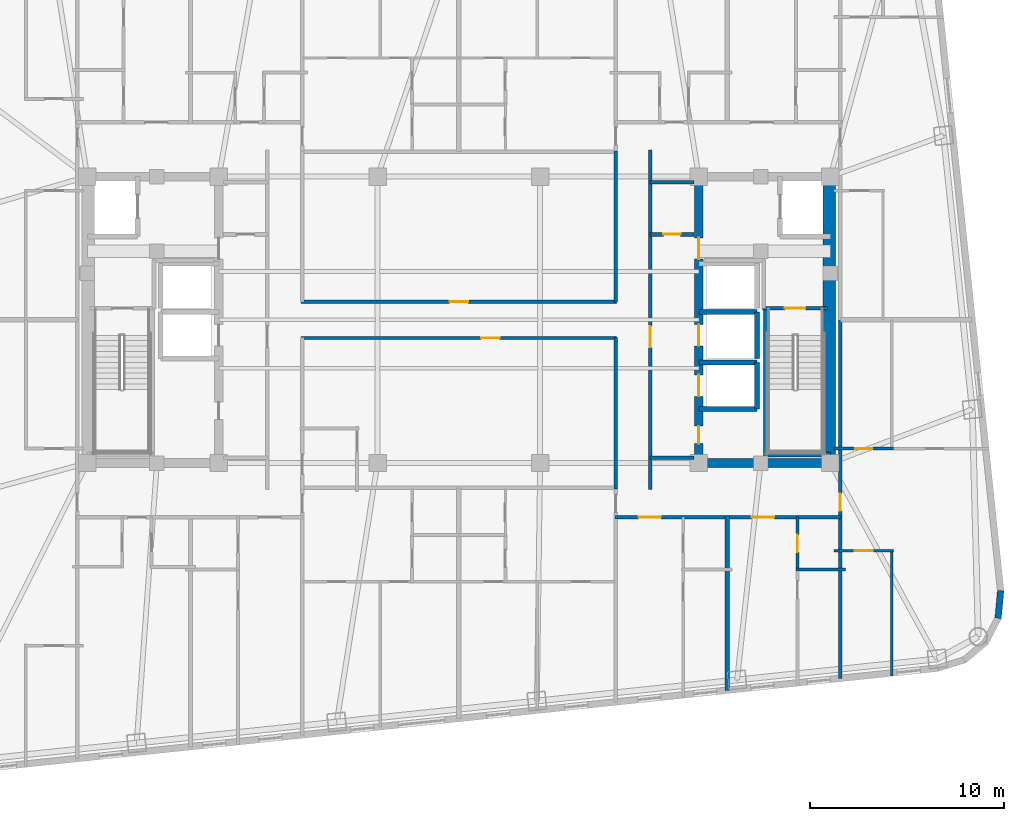
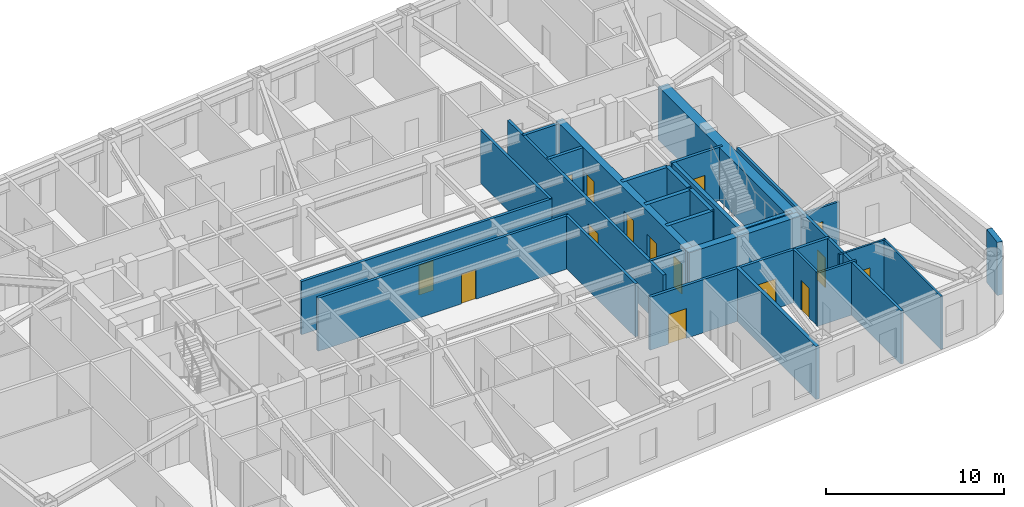
# One storey, part 6 of 12: 28 walls, 15 doors, 15 openings.
"""IFC4 building model written with IfcOpenShell, lengths in metres."""

from ifc_helpers import new_model, si_unit, direction, frame, frame_2d, origin, place, context, subcontext, project, spatial, rectangle, extrude, material, layer, layer_set, type_object, element, fill, save


model = new_model("IFC4")

# Units and contexts
model_context = context("Model", 3, precision=1e-05, world=origin(), true_north=direction((0.0, 1.0)))
body_context = subcontext(model_context, "Body", "Model", "MODEL_VIEW")
ifc_project = project(units=[si_unit("LENGTHUNIT", "METRE"), si_unit("AREAUNIT", "SQUARE_METRE"), si_unit("VOLUMEUNIT", "CUBIC_METRE"), si_unit("PLANEANGLEUNIT", "RADIAN"), si_unit("MASSUNIT", "GRAM", prefix="KILO")], contexts=[model_context])

# Site, building, storey
site_placement = place(None, origin())
site = spatial("IfcSite", under=ifc_project, at=site_placement, CompositionType="ELEMENT")
building_placement = place(site_placement, origin())
building = spatial("IfcBuilding", under=site, at=building_placement, Name="Voryun Gate Residences", CompositionType="ELEMENT")
storey_placement = place(building_placement, frame((0.0, 0.0, 187.199951171875)))
storey = spatial("IfcBuildingStorey", under=building, at=storey_placement, Name="L46", CompositionType="ELEMENT", Elevation=187.199951171875)

# Wall
ifc_material_1 = material(Name="Concrete C50/60", Category="concrete")
ifc_layer_1 = layer(ifc_material_1, 0.449951171875, Name="CW_CORE_450")
ifc_layer_set_1 = layer_set([ifc_layer_1], Name="Concrete C50/60")
wall_type_1 = type_object("IfcWallType", Name="CW_CORE_450", PredefinedType="SHEAR", material=ifc_layer_set_1)
wall_1_placement = place(storey_placement, frame((12.175048828125, -7.39990234375, 0.0), z_axis=(0.0, 0.0, 1.0), x_axis=(1.0, 0.0, 0.0)))
element("IfcWall", 1, at=wall_1_placement, inside=storey, type_object=wall_type_1, Name="L46 Core shear wall CW-L46-ES", PredefinedType="SHEAR", context=body_context, shape_type="SweptSolid", body=[
    extrude(rectangle(XDim=7.25, YDim=0.449951171875, at=frame_2d((3.625, 0.0))), origin(), (0.0, 0.0, 1.0), 3.650146484375),
])

# Wall, openings, doors
wall_2_placement = place(storey_placement, frame((12.39990234375, -7.39990234375, 0.0), z_axis=(0.0, 0.0, 1.0), x_axis=(0.0, 1.0, 0.0)))
wall_2 = element("IfcWall", 2, at=wall_2_placement, inside=storey, type_object=wall_type_1, Name="L46 Core shear wall CW-L46-EW", PredefinedType="SHEAR", context=body_context, shape_type="SweptSolid", body=[
    extrude(rectangle(XDim=14.7998046875, YDim=0.449951171875, at=frame_2d((7.39990234375, 0.0))), origin(), (0.0, 0.0, 1.0), 3.650146484375),
])
opening_1_placement = place(wall_2_placement, frame((3.449951171875, 0.0, 0.0)))
opening_1 = element("IfcOpeningElement", 3, at=opening_1_placement, cuts=wall_2, Name="Opening LD2", PredefinedType="OPENING", context=body_context, shape_type="SweptSolid", body=[
    extrude(rectangle(XDim=1.10009765625, YDim=2.050048828125, at=frame_2d((0.550048828125, 1.02490234375))), frame((0.0, 0.235107421875, 0.0), z_axis=(0.0, -1.0, 0.0), x_axis=(1.0, 0.0, 0.0)), (0.0, 0.0, 1.0), 0.469970703125),
])
opening_2_placement = place(wall_2_placement, frame((6.050048828125, 0.0, 0.0)))
opening_2 = element("IfcOpeningElement", 4, at=opening_2_placement, cuts=wall_2, Name="Opening LD2", PredefinedType="OPENING", context=body_context, shape_type="SweptSolid", body=[
    extrude(rectangle(XDim=1.10009765625, YDim=2.050048828125, at=frame_2d((0.550048828125, 1.02490234375))), frame((0.0, 0.235107421875, 0.0), z_axis=(0.0, -1.0, 0.0), x_axis=(1.0, 0.0, 0.0)), (0.0, 0.0, 1.0), 0.469970703125),
])
opening_3_placement = place(wall_2_placement, frame((10.530029296875, 0.0, 0.0)))
opening_3 = element("IfcOpeningElement", 5, at=opening_3_placement, cuts=wall_2, Name="Opening D-FD60-2", PredefinedType="OPENING", context=body_context, shape_type="SweptSolid", body=[
    extrude(rectangle(XDim=1.10009765625, YDim=2.050048828125, at=frame_2d((0.550048828125, 1.02490234375))), frame((0.0, 0.235107421875, 0.0), z_axis=(0.0, -1.0, 0.0), x_axis=(1.0, 0.0, 0.0)), (0.0, 0.0, 1.0), 0.469970703125),
])
opening_4_placement = place(wall_2_placement, frame((1.0, 0.0, 0.0)))
opening_4 = element("IfcOpeningElement", 6, at=opening_4_placement, cuts=wall_2, Name="Opening D-FD60-4", PredefinedType="OPENING", context=body_context, shape_type="SweptSolid", body=[
    extrude(rectangle(XDim=0.89990234375, YDim=2.050048828125, at=frame_2d((0.449951171875, 1.02490234375))), frame((0.0, 0.235107421875, 0.0), z_axis=(0.0, -1.0, 0.0), x_axis=(1.0, 0.0, 0.0)), (0.0, 0.0, 1.0), 0.469970703125),
])
ifc_material_2 = material(Name="Painted steel fire door", Category="steel")
door_type_1 = type_object("IfcDoorType", Name="DR_FD60_FFLOB_1100", OperationType="NOTDEFINED", PredefinedType="DOOR", material=ifc_material_2)
door_1_placement = place(opening_3_placement, origin())
door_1 = element("IfcDoor", 7, at=door_1_placement, inside=storey, type_object=door_type_1, Name="Door DR-L46-CLOB-E", OperationType="SINGLE_SWING_RIGHT", OverallHeight=2.050048828125, OverallWidth=1.10009765625, PredefinedType="DOOR", context=body_context, shape_type="SweptSolid", body=[
    extrude(rectangle(XDim=1.10009765625, YDim=2.050048828125, at=frame_2d((0.550048828125, 1.02490234375))), frame((0.0, 0.02490234375, 0.0), z_axis=(0.0, -1.0, 0.0), x_axis=(1.0, 0.0, 0.0)), (0.0, 0.0, 1.0), 0.050048828125),
])
fill(opening_3, door_1)
ifc_material_3 = material(Name="Painted steel fire door", Category="steel")
door_type_2 = type_object("IfcDoorType", Name="DR_FD60_RISER_900", OperationType="NOTDEFINED", PredefinedType="DOOR", material=ifc_material_3)
door_2_placement = place(opening_4_placement, origin())
door_2 = element("IfcDoor", 8, at=door_2_placement, inside=storey, type_object=door_type_2, Name="Door DR-L46-RECE1", OperationType="SINGLE_SWING_RIGHT", OverallHeight=2.050048828125, OverallWidth=0.89990234375, PredefinedType="DOOR", context=body_context, shape_type="SweptSolid", body=[
    extrude(rectangle(XDim=0.89990234375, YDim=2.050048828125, at=frame_2d((0.449951171875, 1.02490234375))), frame((0.0, 0.02490234375, 0.0), z_axis=(0.0, -1.0, 0.0), x_axis=(1.0, 0.0, 0.0)), (0.0, 0.0, 1.0), 0.050048828125),
])
fill(opening_4, door_2)
ifc_material_4 = material(Name="Anodised aluminium", Category="aluminium")
door_type_3 = type_object("IfcDoorType", Name="DR_LD_PASS_1100", OperationType="NOTDEFINED", PredefinedType="DOOR", material=ifc_material_4)
door_3_placement = place(opening_1_placement, origin())
door_3 = element("IfcDoor", 9, at=door_3_placement, inside=storey, type_object=door_type_3, Name="Lift EL-P5 sliding landing door L46", OperationType="SLIDING_TO_LEFT", OverallHeight=2.050048828125, OverallWidth=1.10009765625, PredefinedType="DOOR", context=body_context, shape_type="SweptSolid", body=[
    extrude(rectangle(XDim=1.10009765625, YDim=2.050048828125, at=frame_2d((0.550048828125, 1.02490234375))), frame((0.0, 0.02490234375, 0.0), z_axis=(0.0, -1.0, 0.0), x_axis=(1.0, 0.0, 0.0)), (0.0, 0.0, 1.0), 0.050048828125),
])
fill(opening_1, door_3)
door_4_placement = place(opening_2_placement, origin())
door_4 = element("IfcDoor", 10, at=door_4_placement, inside=storey, type_object=door_type_3, Name="Lift EL-P6 sliding landing door L46", OperationType="SLIDING_TO_LEFT", OverallHeight=2.050048828125, OverallWidth=1.10009765625, PredefinedType="DOOR", context=body_context, shape_type="SweptSolid", body=[
    extrude(rectangle(XDim=1.10009765625, YDim=2.050048828125, at=frame_2d((0.550048828125, 1.02490234375))), frame((0.0, 0.02490234375, 0.0), z_axis=(0.0, -1.0, 0.0), x_axis=(1.0, 0.0, 0.0)), (0.0, 0.0, 1.0), 0.050048828125),
])
fill(opening_2, door_4)

# Wall
ifc_material_5 = material(Name="Concrete C60/75", Category="concrete")
ifc_layer_2 = layer(ifc_material_5, 0.64990234375, Name="CW_CORE_650")
ifc_layer_set_2 = layer_set([ifc_layer_2], Name="Concrete C60/75")
wall_type_2 = type_object("IfcWallType", Name="CW_CORE_650", PredefinedType="SHEAR", material=ifc_layer_set_2)
wall_3_placement = place(storey_placement, frame((19.14501953125, -7.39990234375, 0.0), z_axis=(0.0, 0.0, 1.0), x_axis=(0.0, 1.0, 0.0)))
element("IfcWall", 11, at=wall_3_placement, inside=storey, type_object=wall_type_2, Name="L46 Core shear wall CW-L46-EE", PredefinedType="SHEAR", context=body_context, shape_type="SweptSolid", body=[
    extrude(rectangle(XDim=14.7998046875, YDim=0.64990234375, at=frame_2d((7.39990234375, 0.0))), origin(), (0.0, 0.0, 1.0), 3.650146484375),
])

# Wall, opening, door
ifc_material_6 = material(Name="Gypsum acoustic fireboard")
ifc_layer_3 = layer(ifc_material_6, 0.179931640625, Name="W_CORR_RATED_180")
ifc_layer_set_3 = layer_set([ifc_layer_3], Name="Gypsum acoustic fireboard")
wall_type_3 = type_object("IfcWallType", Name="W_CORR_RATED_180", PredefinedType="PARTITIONING", material=ifc_layer_set_3)
wall_4_placement = place(storey_placement, frame((15.699951171875, 0.60009765625, 0.0), z_axis=(0.0, 0.0, 1.0), x_axis=(1.0, 0.0, 0.0)))
wall_4 = element("IfcWall", 12, at=wall_4_placement, inside=storey, type_object=wall_type_3, Name="Partition wall WP-L46-STV-E", PredefinedType="PARTITIONING", context=body_context, shape_type="SweptSolid", body=[
    extrude(rectangle(XDim=3.360107421875, YDim=0.179931640625, at=frame_2d((1.68017578125, 0.0))), origin(), (0.0, 0.0, 1.0), 3.650146484375),
])
opening_5_placement = place(wall_4_placement, frame((1.155029296875, 0.0, 0.0)))
opening_5 = element("IfcOpeningElement", 13, at=opening_5_placement, cuts=wall_4, Name="Opening D-FD60-1", PredefinedType="OPENING", context=body_context, shape_type="SweptSolid", body=[
    extrude(rectangle(XDim=1.050048828125, YDim=2.050048828125, at=frame_2d((0.52490234375, 1.02490234375))), frame((0.0, 0.099853515625, 0.0), z_axis=(0.0, -1.0, 0.0), x_axis=(1.0, 0.0, 0.0)), (0.0, 0.0, 1.0), 0.199951171875),
])
ifc_material_7 = material(Name="Painted steel fire door", Category="steel")
door_type_4 = type_object("IfcDoorType", Name="DR_FD60_STAIR_1050", OperationType="NOTDEFINED", PredefinedType="DOOR", material=ifc_material_7)
door_5_placement = place(opening_5_placement, origin())
door_5 = element("IfcDoor", 14, at=door_5_placement, inside=storey, type_object=door_type_4, Name="Door DR-L46-ST-E", OperationType="SINGLE_SWING_RIGHT", OverallHeight=2.050048828125, OverallWidth=1.050048828125, PredefinedType="DOOR", context=body_context, shape_type="SweptSolid", body=[
    extrude(rectangle(XDim=1.050048828125, YDim=2.050048828125, at=frame_2d((0.52490234375, 1.02490234375))), frame((0.0, 0.02490234375, 0.0), z_axis=(0.0, -1.0, 0.0), x_axis=(1.0, 0.0, 0.0)), (0.0, 0.0, 1.0), 0.050048828125),
])
fill(opening_5, door_5)

# Walls
for number, where, z_axis, x_axis, name in (
    (15, (9.8798828125, 7.1201171875, 0.0), (0.0, 0.0, 1.0), (1.0, 0.0, 0.0), "Partition wall WP-L46-PLBN-E"),
    (16, (9.8798828125, -7.1201171875, 0.0), (0.0, 0.0, 1.0), (1.0, 0.0, 0.0), "Partition wall WP-L46-PLBS-E"),
):
    element("IfcWall", number, at=place(storey_placement, frame(where, z_axis=z_axis, x_axis=x_axis)), inside=storey, type_object=wall_type_3, Name=name, PredefinedType="PARTITIONING", context=body_context, shape_type="SweptSolid", body=[
        extrude(rectangle(XDim=2.27001953125, YDim=0.179931640625, at=frame_2d((1.135009765625, 0.0))), origin(), (0.0, 0.0, 1.0), 3.650146484375),
    ])

# Wall, opening, door
wall_5_placement = place(storey_placement, frame((9.89990234375, -8.780029296875, 0.0), z_axis=(0.0, 0.0, 1.0), x_axis=(0.0, 1.0, 0.0)))
wall_5 = element("IfcWall", 17, at=wall_5_placement, inside=storey, type_object=wall_type_3, Name="Partition wall WP-L46-PLBE-FULL", PredefinedType="PARTITIONING", context=body_context, shape_type="SweptSolid", body=[
    extrude(rectangle(XDim=17.56005859375, YDim=0.179931640625, at=frame_2d((8.780029296875, 0.0))), origin(), (0.0, 0.0, 1.0), 3.650146484375),
])
opening_6_placement = place(wall_5_placement, frame((7.35205078125, 0.0, 0.0)))
opening_6 = element("IfcOpeningElement", 18, at=opening_6_placement, cuts=wall_5, Name="Opening D-FD60-2", PredefinedType="OPENING", context=body_context, shape_type="SweptSolid", body=[
    extrude(rectangle(XDim=1.10009765625, YDim=2.050048828125, at=frame_2d((0.550048828125, 1.02490234375))), frame((0.0, 0.099853515625, 0.0), z_axis=(0.0, -1.0, 0.0), x_axis=(1.0, 0.0, 0.0)), (0.0, 0.0, 1.0), 0.199951171875),
])
door_6_placement = place(opening_6_placement, origin())
door_6 = element("IfcDoor", 19, at=door_6_placement, inside=storey, type_object=door_type_1, Name="Door DR-L46-PLBE-COR", OperationType="SINGLE_SWING_RIGHT", OverallHeight=2.050048828125, OverallWidth=1.10009765625, PredefinedType="DOOR", context=body_context, shape_type="SweptSolid", body=[
    extrude(rectangle(XDim=1.10009765625, YDim=2.050048828125, at=frame_2d((0.550048828125, 1.02490234375))), frame((0.0, 0.02490234375, 0.0), z_axis=(0.0, -1.0, 0.0), x_axis=(1.0, 0.0, 0.0)), (0.0, 0.0, 1.0), 0.050048828125),
])
fill(opening_6, door_6)

wall_6_placement = place(storey_placement, frame((-8.14990234375, 0.93994140625, 0.0), z_axis=(0.0, 0.0, 1.0), x_axis=(1.0, 0.0, 0.0)))
wall_6 = element("IfcWall", 20, at=wall_6_placement, inside=storey, type_object=wall_type_3, Name="Partition wall WP-L46-Z2HN", PredefinedType="PARTITIONING", context=body_context, shape_type="SweptSolid", body=[
    extrude(rectangle(XDim=16.2998046875, YDim=0.179931640625, at=frame_2d((8.14990234375, 0.0))), origin(), (0.0, 0.0, 1.0), 3.650146484375),
])
opening_7_placement = place(wall_6_placement, frame((7.675048828125, 0.0, 0.0)))
opening_7 = element("IfcOpeningElement", 21, at=opening_7_placement, cuts=wall_6, Name="Opening D-INT-1", PredefinedType="OPENING", context=body_context, shape_type="SweptSolid", body=[
    extrude(rectangle(XDim=0.949951171875, YDim=2.050048828125, at=frame_2d((0.47509765625, 1.02490234375))), frame((0.0, 0.099853515625, 0.0), z_axis=(0.0, -1.0, 0.0), x_axis=(1.0, 0.0, 0.0)), (0.0, 0.0, 1.0), 0.199951171875),
])
ifc_material_8 = material(Name="Architectural oak veneer")
door_type_5 = type_object("IfcDoorType", Name="DR_INT_ROOM_950", OperationType="NOTDEFINED", PredefinedType="DOOR", material=ifc_material_8)
door_7_placement = place(opening_7_placement, origin())
door_7 = element("IfcDoor", 22, at=door_7_placement, inside=storey, type_object=door_type_5, Name="Door DR-L46-Z2NH", OperationType="SINGLE_SWING_LEFT", OverallHeight=2.050048828125, OverallWidth=0.949951171875, PredefinedType="DOOR", context=body_context, shape_type="SweptSolid", body=[
    extrude(rectangle(XDim=0.949951171875, YDim=2.050048828125, at=frame_2d((0.47509765625, 1.02490234375))), frame((0.0, 0.02490234375, 0.0), z_axis=(0.0, -1.0, 0.0), x_axis=(1.0, 0.0, 0.0)), (0.0, 0.0, 1.0), 0.050048828125),
])
fill(opening_7, door_7)

wall_7_placement = place(storey_placement, frame((-8.14990234375, -0.93994140625, 0.0), z_axis=(0.0, 0.0, 1.0), x_axis=(1.0, 0.0, 0.0)))
wall_7 = element("IfcWall", 23, at=wall_7_placement, inside=storey, type_object=wall_type_3, Name="Partition wall WP-L46-Z2HS", PredefinedType="PARTITIONING", context=body_context, shape_type="SweptSolid", body=[
    extrude(rectangle(XDim=16.2998046875, YDim=0.179931640625, at=frame_2d((8.14990234375, 0.0))), origin(), (0.0, 0.0, 1.0), 3.650146484375),
])
opening_8_placement = place(wall_7_placement, frame((9.304931640625, 0.0, 0.0)))
opening_8 = element("IfcOpeningElement", 24, at=opening_8_placement, cuts=wall_7, Name="Opening D-INT-1", PredefinedType="OPENING", context=body_context, shape_type="SweptSolid", body=[
    extrude(rectangle(XDim=0.949951171875, YDim=2.050048828125, at=frame_2d((0.47509765625, 1.02490234375))), frame((0.0, 0.099853515625, 0.0), z_axis=(0.0, -1.0, 0.0), x_axis=(1.0, 0.0, 0.0)), (0.0, 0.0, 1.0), 0.199951171875),
])
door_8_placement = place(opening_8_placement, origin())
door_8 = element("IfcDoor", 25, at=door_8_placement, inside=storey, type_object=door_type_5, Name="Door DR-L46-Z2SH", OperationType="SINGLE_SWING_RIGHT", OverallHeight=2.050048828125, OverallWidth=0.949951171875, PredefinedType="DOOR", context=body_context, shape_type="SweptSolid", body=[
    extrude(rectangle(XDim=0.949951171875, YDim=2.050048828125, at=frame_2d((0.47509765625, 1.02490234375))), frame((0.0, 0.02490234375, 0.0), z_axis=(0.0, -1.0, 0.0), x_axis=(1.0, 0.0, 0.0)), (0.0, 0.0, 1.0), 0.050048828125),
])
fill(opening_8, door_8)

# Walls
for number, where, z_axis, x_axis, name in (
    (26, (8.10009765625, 0.919921875, 0.0), (0.0, 0.0, 1.0), (0.0, 1.0, 0.0), "Partition wall WP-L46-Z2ER1"),
    (27, (8.10009765625, -8.72998046875, 0.0), (0.0, 0.0, 1.0), (0.0, 1.0, 0.0), "Partition wall WP-L46-Z2ER2"),
):
    element("IfcWall", number, at=place(storey_placement, frame(where, z_axis=z_axis, x_axis=x_axis)), inside=storey, type_object=wall_type_3, Name=name, PredefinedType="PARTITIONING", context=body_context, shape_type="SweptSolid", body=[
        extrude(rectangle(XDim=7.81005859375, YDim=0.179931640625, at=frame_2d((3.905029296875, 0.0))), origin(), (0.0, 0.0, 1.0), 3.650146484375),
    ])

# Wall, openings, doors
wall_8_placement = place(storey_placement, frame((8.080078125, -10.199951171875, 0.0), z_axis=(0.0, 0.0, 1.0), x_axis=(1.0, 0.0, 0.0)))
wall_8 = element("IfcWall", 28, at=wall_8_placement, inside=storey, type_object=wall_type_3, Name="Partition wall WP-L46-SCORR-E", PredefinedType="PARTITIONING", context=body_context, shape_type="SweptSolid", body=[
    extrude(rectangle(XDim=11.669921875, YDim=0.179931640625, at=frame_2d((5.8349609375, 0.0))), origin(), (0.0, 0.0, 1.0), 3.650146484375),
])
opening_9_placement = place(wall_8_placement, frame((1.212890625, 0.0, 0.0)))
opening_9 = element("IfcOpeningElement", 29, at=opening_9_placement, cuts=wall_8, Name="Opening D-UNIT-1", PredefinedType="OPENING", context=body_context, shape_type="SweptSolid", body=[
    extrude(rectangle(XDim=1.14990234375, YDim=2.050048828125, at=frame_2d((0.574951171875, 1.02490234375))), frame((0.0, 0.099853515625, 0.0), z_axis=(0.0, -1.0, 0.0), x_axis=(1.0, 0.0, 0.0)), (0.0, 0.0, 1.0), 0.199951171875),
])
opening_10_placement = place(wall_8_placement, frame((7.05712890625, 0.0, 0.0)))
opening_10 = element("IfcOpeningElement", 30, at=opening_10_placement, cuts=wall_8, Name="Opening D-UNIT-1", PredefinedType="OPENING", context=body_context, shape_type="SweptSolid", body=[
    extrude(rectangle(XDim=1.14990234375, YDim=2.050048828125, at=frame_2d((0.574951171875, 1.02490234375))), frame((0.0, 0.099853515625, 0.0), z_axis=(0.0, -1.0, 0.0), x_axis=(1.0, 0.0, 0.0)), (0.0, 0.0, 1.0), 0.199951171875),
])
ifc_material_9 = material(Name="Armoured timber-clad fire door", Category="wood")
door_type_6 = type_object("IfcDoorType", Name="DR_UNIT_ENTRY_1150", OperationType="NOTDEFINED", PredefinedType="DOOR", material=ifc_material_9)
door_9_placement = place(opening_9_placement, origin())
door_9 = element("IfcDoor", 31, at=door_9_placement, inside=storey, type_object=door_type_6, Name="Door DR-L46-SENT-4", OperationType="SINGLE_SWING_LEFT", OverallHeight=2.050048828125, OverallWidth=1.14990234375, PredefinedType="DOOR", context=body_context, shape_type="SweptSolid", body=[
    extrude(rectangle(XDim=1.14990234375, YDim=2.050048828125, at=frame_2d((0.574951171875, 1.02490234375))), frame((0.0, 0.02490234375, 0.0), z_axis=(0.0, -1.0, 0.0), x_axis=(1.0, 0.0, 0.0)), (0.0, 0.0, 1.0), 0.050048828125),
])
fill(opening_9, door_9)
door_10_placement = place(opening_10_placement, origin())
door_10 = element("IfcDoor", 32, at=door_10_placement, inside=storey, type_object=door_type_6, Name="Door DR-L46-SENT-5", OperationType="SINGLE_SWING_RIGHT", OverallHeight=2.050048828125, OverallWidth=1.14990234375, PredefinedType="DOOR", context=body_context, shape_type="SweptSolid", body=[
    extrude(rectangle(XDim=1.14990234375, YDim=2.050048828125, at=frame_2d((0.574951171875, 1.02490234375))), frame((0.0, 0.02490234375, 0.0), z_axis=(0.0, -1.0, 0.0), x_axis=(1.0, 0.0, 0.0)), (0.0, 0.0, 1.0), 0.050048828125),
])
fill(opening_10, door_10)

# Wall, opening, door
wall_9_placement = place(storey_placement, frame((19.719970703125, -18.532470703125, 0.0), z_axis=(0.0, 0.0, 1.0), x_axis=(0.0, 1.0, 0.0)))
wall_9 = element("IfcWall", 33, at=wall_9_placement, inside=storey, type_object=wall_type_3, Name="Partition wall WP-L46-ECOR1", PredefinedType="PARTITIONING", context=body_context, shape_type="SweptSolid", body=[
    extrude(rectangle(XDim=18.532470703125, YDim=0.179931640625, at=frame_2d((9.26611328125, 0.0))), origin(), (0.0, 0.0, 1.0), 3.650146484375),
])
opening_11_placement = place(wall_9_placement, frame((8.653076171875, 0.0, 0.0)))
opening_11 = element("IfcOpeningElement", 34, at=opening_11_placement, cuts=wall_9, Name="Opening D-INT-2", PredefinedType="OPENING", context=body_context, shape_type="SweptSolid", body=[
    extrude(rectangle(XDim=0.89990234375, YDim=2.050048828125, at=frame_2d((0.449951171875, 1.02490234375))), frame((0.0, 0.099853515625, 0.0), z_axis=(0.0, -1.0, 0.0), x_axis=(1.0, 0.0, 0.0)), (0.0, 0.0, 1.0), 0.199951171875),
])
ifc_material_10 = material(Name="Architectural oak veneer")
door_type_7 = type_object("IfcDoorType", Name="DR_INT_BATH_900", OperationType="NOTDEFINED", PredefinedType="DOOR", material=ifc_material_10)
door_11_placement = place(opening_11_placement, origin())
door_11 = element("IfcDoor", 35, at=door_11_placement, inside=storey, type_object=door_type_7, Name="Door DR-L46-EE1", OperationType="SINGLE_SWING_LEFT", OverallHeight=2.050048828125, OverallWidth=0.89990234375, PredefinedType="DOOR", context=body_context, shape_type="SweptSolid", body=[
    extrude(rectangle(XDim=0.89990234375, YDim=2.050048828125, at=frame_2d((0.449951171875, 1.02490234375))), frame((0.0, 0.02490234375, 0.0), z_axis=(0.0, -1.0, 0.0), x_axis=(1.0, 0.0, 0.0)), (0.0, 0.0, 1.0), 0.050048828125),
])
fill(opening_11, door_11)

# Wall
ifc_material_11 = material(Name="Charcoal terracotta masonry", Category="masonry")
ifc_layer_4 = layer(ifc_material_11, 0.340087890625, Name="W_EXT_TERRACOTTA_340")
ifc_layer_set_4 = layer_set([ifc_layer_4], Name="Charcoal terracotta masonry")
wall_type_4 = type_object("IfcWallType", Name="W_EXT_TERRACOTTA_340", PredefinedType="ELEMENTEDWALL", material=ifc_layer_set_4)
wall_10_placement = place(storey_placement, frame((28.001220703125, -13.9951171875, 0.0), z_axis=(0.0, 0.0, 1.0), x_axis=(-0.091534682358, -0.995801888894, 0.0)))
element("IfcWall", 36, at=wall_10_placement, inside=storey, type_object=wall_type_4, Name="Exterior wall WEXT-L46-17", PredefinedType="ELEMENTEDWALL", context=body_context, shape_type="SweptSolid", body=[
    extrude(rectangle(XDim=1.432373046875, YDim=0.340087890625, at=frame_2d((0.71630859375, 0.0))), origin(), (0.0, 0.0, 1.0), 3.650146484375),
])

# Wall, opening, door
ifc_material_12 = material(Name="Concrete C40/50", Category="concrete")
ifc_layer_5 = layer(ifc_material_12, 0.199951171875, Name="W_FF_LOBBY_200")
ifc_layer_set_5 = layer_set([ifc_layer_5], Name="Concrete C40/50")
wall_type_5 = type_object("IfcWallType", Name="W_FF_LOBBY_200", PredefinedType="PARTITIONING", material=ifc_layer_set_5)
wall_11_placement = place(storey_placement, frame((9.8798828125, 4.409912109375, 0.0), z_axis=(0.0, 0.0, 1.0), x_axis=(1.0, 0.0, 0.0)))
wall_11 = element("IfcWall", 37, at=wall_11_placement, inside=storey, type_object=wall_type_5, Name="Partition wall WP-L46-CSFLKS-E", PredefinedType="PARTITIONING", context=body_context, shape_type="SweptSolid", body=[
    extrude(rectangle(XDim=2.27001953125, YDim=0.199951171875, at=frame_2d((1.135009765625, 0.0))), origin(), (0.0, 0.0, 1.0), 3.650146484375),
])
opening_12_placement = place(wall_11_placement, frame((0.68505859375, 0.0, 0.0)))
opening_12 = element("IfcOpeningElement", 38, at=opening_12_placement, cuts=wall_11, Name="Opening D-FD60-4", PredefinedType="OPENING", context=body_context, shape_type="SweptSolid", body=[
    extrude(rectangle(XDim=0.89990234375, YDim=2.050048828125, at=frame_2d((0.449951171875, 1.02490234375))), frame((0.0, 0.110107421875, 0.0), z_axis=(0.0, -1.0, 0.0), x_axis=(1.0, 0.0, 0.0)), (0.0, 0.0, 1.0), 0.219970703125),
])
door_12_placement = place(opening_12_placement, origin())
door_12 = element("IfcDoor", 39, at=door_12_placement, inside=storey, type_object=door_type_2, Name="Door DR-L46-CSFLK-E", OperationType="SINGLE_SWING_RIGHT", OverallHeight=2.050048828125, OverallWidth=0.89990234375, PredefinedType="DOOR", context=body_context, shape_type="SweptSolid", body=[
    extrude(rectangle(XDim=0.89990234375, YDim=2.050048828125, at=frame_2d((0.449951171875, 1.02490234375))), frame((0.0, 0.02490234375, 0.0), z_axis=(0.0, -1.0, 0.0), x_axis=(1.0, 0.0, 0.0)), (0.0, 0.0, 1.0), 0.050048828125),
])
fill(opening_12, door_12)

# Walls
ifc_material_13 = material(Name="Concrete C40/50", Category="concrete")
ifc_layer_6 = layer(ifc_material_13, 0.219970703125, Name="W_PARTY_ACOUSTIC_220")
ifc_layer_set_6 = layer_set([ifc_layer_6], Name="Concrete C40/50")
wall_type_6 = type_object("IfcWallType", Name="W_PARTY_ACOUSTIC_220", PredefinedType="PARTITIONING", material=ifc_layer_set_6)
wall_12_placement = place(storey_placement, frame((13.864990234375, -19.147705078125, 0.0), z_axis=(0.0, 0.0, 1.0), x_axis=(0.0, 1.0, 0.0)))
element("IfcWall", 40, at=wall_12_placement, inside=storey, type_object=wall_type_6, Name="Partition wall WP-L46-SPTY-4", PredefinedType="PARTITIONING", context=body_context, shape_type="SweptSolid", body=[
    extrude(rectangle(XDim=9.027587890625, YDim=0.219970703125, at=frame_2d((4.513671875, 0.0))), origin(), (0.0, 0.0, 1.0), 3.650146484375),
])
ifc_material_14 = material(Name="Concrete C50/60", Category="concrete")
ifc_layer_7 = layer(ifc_material_14, 0.25, Name="W_SHAFT_RC250")
ifc_layer_set_7 = layer_set([ifc_layer_7], Name="Concrete C50/60")
wall_type_7 = type_object("IfcWallType", Name="W_SHAFT_RC250", PredefinedType="SOLIDWALL", material=ifc_layer_set_7)
wall_13_placement = place(storey_placement, frame((15.860107421875, -7.0849609375, 0.0), z_axis=(0.0, 0.0, 1.0), x_axis=(0.0, 1.0, 0.0)))
element("IfcWall", 41, at=wall_13_placement, inside=storey, type_object=wall_type_7, Name="L46 Stair shaft structural wall E-STL", PredefinedType="SOLIDWALL", context=body_context, shape_type="SweptSolid", body=[
    extrude(rectangle(XDim=7.68505859375, YDim=0.25, at=frame_2d((3.842529296875, 0.0))), origin(), (0.0, 0.0, 1.0), 3.650146484375),
])
wall_14_placement = place(storey_placement, frame((15.739990234375, -6.965087890625, 0.0), z_axis=(0.0, 0.0, 1.0), x_axis=(1.0, 0.0, 0.0)))
element("IfcWall", 42, at=wall_14_placement, inside=storey, type_object=wall_type_7, Name="L46 Stair shaft structural wall E-STS", PredefinedType="SOLIDWALL", context=body_context, shape_type="SweptSolid", body=[
    extrude(rectangle(XDim=3.4599609375, YDim=0.25, at=frame_2d((1.72998046875, 0.0))), origin(), (0.0, 0.0, 1.0), 3.650146484375),
])
wall_15_placement = place(storey_placement, frame((12.39990234375, -4.60009765625, 0.0), z_axis=(0.0, 0.0, 1.0), x_axis=(1.0, 0.0, 0.0)))
element("IfcWall", 43, at=wall_15_placement, inside=storey, type_object=wall_type_7, Name="Lift shaft wall WSH-L46-EL-P5-S", PredefinedType="SOLIDWALL", context=body_context, shape_type="SweptSolid", body=[
    extrude(rectangle(XDim=3.0, YDim=0.25, at=frame_2d((1.5, 0.0))), origin(), (0.0, 0.0, 1.0), 3.650146484375),
])
wall_16_placement = place(storey_placement, frame((15.39990234375, -4.60009765625, 0.0), z_axis=(0.0, 0.0, 1.0), x_axis=(0.0, 1.0, 0.0)))
element("IfcWall", 44, at=wall_16_placement, inside=storey, type_object=wall_type_7, Name="Lift shaft wall WSH-L46-EL-P5-E", PredefinedType="SOLIDWALL", context=body_context, shape_type="SweptSolid", body=[
    extrude(rectangle(XDim=2.400146484375, YDim=0.25, at=frame_2d((1.2001953125, 0.0))), origin(), (0.0, 0.0, 1.0), 3.650146484375),
])
wall_17_placement = place(storey_placement, frame((15.39990234375, -2.199951171875, 0.0), z_axis=(0.0, 0.0, 1.0), x_axis=(-1.0, 0.0, 0.0)))
element("IfcWall", 45, at=wall_17_placement, inside=storey, type_object=wall_type_7, Name="Lift shaft wall WSH-L46-EL-P5-N", PredefinedType="SOLIDWALL", context=body_context, shape_type="SweptSolid", body=[
    extrude(rectangle(XDim=3.0, YDim=0.25, at=frame_2d((1.5, 0.0))), origin(), (0.0, 0.0, 1.0), 3.650146484375),
])
wall_18_placement = place(storey_placement, frame((15.39990234375, -2.0, 0.0), z_axis=(0.0, 0.0, 1.0), x_axis=(0.0, 1.0, 0.0)))
element("IfcWall", 46, at=wall_18_placement, inside=storey, type_object=wall_type_7, Name="Lift shaft wall WSH-L46-EL-P6-E", PredefinedType="SOLIDWALL", context=body_context, shape_type="SweptSolid", body=[
    extrude(rectangle(XDim=2.39990234375, YDim=0.25, at=frame_2d((1.199951171875, 0.0))), origin(), (0.0, 0.0, 1.0), 3.650146484375),
])
wall_19_placement = place(storey_placement, frame((15.39990234375, 0.39990234375, 0.0), z_axis=(0.0, 0.0, 1.0), x_axis=(-1.0, 0.0, 0.0)))
element("IfcWall", 47, at=wall_19_placement, inside=storey, type_object=wall_type_7, Name="Lift shaft wall WSH-L46-EL-P6-N", PredefinedType="SOLIDWALL", context=body_context, shape_type="SweptSolid", body=[
    extrude(rectangle(XDim=3.0, YDim=0.25, at=frame_2d((1.5, 0.0))), origin(), (0.0, 0.0, 1.0), 3.650146484375),
])

# Wall, opening, door
ifc_material_15 = material(Name="Gypsum acoustic partition")
ifc_layer_8 = layer(ifc_material_15, 0.125, Name="W_UNIT_PART_125")
ifc_layer_set_8 = layer_set([ifc_layer_8], Name="Gypsum acoustic partition")
wall_type_8 = type_object("IfcWallType", Name="W_UNIT_PART_125", PredefinedType="PARTITIONING", material=ifc_layer_set_8)
wall_20_placement = place(storey_placement, frame((19.39990234375, -11.93896484375, 0.0), z_axis=(0.0, 0.0, 1.0), x_axis=(1.0, 0.0, 0.0)))
wall_20 = element("IfcWall", 48, at=wall_20_placement, inside=storey, type_object=wall_type_8, Name="Partition wall WP-L46-E1-IKA", PredefinedType="PARTITIONING", context=body_context, shape_type="SweptSolid", body=[
    extrude(rectangle(XDim=3.050048828125, YDim=0.125, at=frame_2d((1.52490234375, 0.0))), origin(), (0.0, 0.0, 1.0), 3.650146484375),
])
opening_13_placement = place(wall_20_placement, frame((1.050048828125, 0.0, 0.0)))
opening_13 = element("IfcOpeningElement", 49, at=opening_13_placement, cuts=wall_20, Name="Opening D-INT-1", PredefinedType="OPENING", context=body_context, shape_type="SweptSolid", body=[
    extrude(rectangle(XDim=0.949951171875, YDim=2.050048828125, at=frame_2d((0.47509765625, 1.02490234375))), frame((0.0, 0.072509765625, 0.0), z_axis=(0.0, -1.0, 0.0), x_axis=(1.0, 0.0, 0.0)), (0.0, 0.0, 1.0), 0.14501953125),
])
door_13_placement = place(opening_13_placement, origin())
door_13 = element("IfcDoor", 50, at=door_13_placement, inside=storey, type_object=door_type_5, Name="Door DR-L46-E1-DK", OperationType="SINGLE_SWING_LEFT", OverallHeight=2.050048828125, OverallWidth=0.949951171875, PredefinedType="DOOR", context=body_context, shape_type="SweptSolid", body=[
    extrude(rectangle(XDim=0.949951171875, YDim=2.050048828125, at=frame_2d((0.47509765625, 1.02490234375))), frame((0.0, 0.02490234375, 0.0), z_axis=(0.0, -1.0, 0.0), x_axis=(1.0, 0.0, 0.0)), (0.0, 0.0, 1.0), 0.050048828125),
])
fill(opening_13, door_13)

# Walls
wall_21_placement = place(storey_placement, frame((22.3701171875, -18.40478515625, 0.0), z_axis=(0.0, 0.0, 1.0), x_axis=(0.0, 1.0, 0.0)))
element("IfcWall", 51, at=wall_21_placement, inside=storey, type_object=wall_type_8, Name="Partition wall WP-L46-E1-VTA", PredefinedType="PARTITIONING", context=body_context, shape_type="SweptSolid", body=[
    extrude(rectangle(XDim=6.5458984375, YDim=0.125, at=frame_2d((3.27294921875, 0.0))), origin(), (0.0, 0.0, 1.0), 3.650146484375),
])
ifc_material_16 = material(Name="Gypsum moisture-resistant partition")
ifc_layer_9 = layer(ifc_material_16, 0.14990234375, Name="W_WET_PLUMB_150")
ifc_layer_set_9 = layer_set([ifc_layer_9], Name="Gypsum moisture-resistant partition")
wall_type_9 = type_object("IfcWallType", Name="W_WET_PLUMB_150", PredefinedType="PLUMBINGWALL", material=ifc_layer_set_9)
wall_22_placement = place(storey_placement, frame((17.419921875, -12.89990234375, 0.0), z_axis=(0.0, 0.0, 1.0), x_axis=(1.0, 0.0, 0.0)))
element("IfcWall", 52, at=wall_22_placement, inside=storey, type_object=wall_type_9, Name="Partition wall WP-L46-S5-SKB", PredefinedType="PLUMBINGWALL", context=body_context, shape_type="SweptSolid", body=[
    extrude(rectangle(XDim=2.550048828125, YDim=0.14990234375, at=frame_2d((1.27490234375, 0.0))), origin(), (0.0, 0.0, 1.0), 3.650146484375),
])

# Wall, opening, door
wall_23_placement = place(storey_placement, frame((17.5, -12.93994140625, 0.0), z_axis=(0.0, 0.0, 1.0), x_axis=(0.0, 1.0, 0.0)))
wall_23 = element("IfcWall", 53, at=wall_23_placement, inside=storey, type_object=wall_type_9, Name="Partition wall WP-L46-S5-SVT2", PredefinedType="PLUMBINGWALL", context=body_context, shape_type="SweptSolid", body=[
    extrude(rectangle(XDim=2.760009765625, YDim=0.14990234375, at=frame_2d((1.3798828125, 0.0))), origin(), (0.0, 0.0, 1.0), 3.650146484375),
])
opening_14_placement = place(wall_23_placement, frame((0.929931640625, 0.0, 0.0)))
opening_14 = element("IfcOpeningElement", 54, at=opening_14_placement, cuts=wall_23, Name="Opening D-INT-2", PredefinedType="OPENING", context=body_context, shape_type="SweptSolid", body=[
    extrude(rectangle(XDim=0.89990234375, YDim=2.050048828125, at=frame_2d((0.449951171875, 1.02490234375))), frame((0.0, 0.0849609375, 0.0), z_axis=(0.0, -1.0, 0.0), x_axis=(1.0, 0.0, 0.0)), (0.0, 0.0, 1.0), 0.169921875),
])
door_14_placement = place(opening_14_placement, origin())
door_14 = element("IfcDoor", 55, at=door_14_placement, inside=storey, type_object=door_type_7, Name="Door DR-L46-S5-DB", OperationType="SINGLE_SWING_RIGHT", OverallHeight=2.050048828125, OverallWidth=0.89990234375, PredefinedType="DOOR", context=body_context, shape_type="SweptSolid", body=[
    extrude(rectangle(XDim=0.89990234375, YDim=2.050048828125, at=frame_2d((0.449951171875, 1.02490234375))), frame((0.0, 0.02490234375, 0.0), z_axis=(0.0, -1.0, 0.0), x_axis=(1.0, 0.0, 0.0)), (0.0, 0.0, 1.0), 0.050048828125),
])
fill(opening_14, door_14)

wall_24_placement = place(storey_placement, frame((19.39990234375, -6.659912109375, 0.0), z_axis=(0.0, 0.0, 1.0), x_axis=(1.0, 0.0, 0.0)))
wall_24 = element("IfcWall", 56, at=wall_24_placement, inside=storey, type_object=wall_type_9, Name="Partition wall WP-L46-E1-IBB", PredefinedType="PLUMBINGWALL", context=body_context, shape_type="SweptSolid", body=[
    extrude(rectangle(XDim=3.050048828125, YDim=0.14990234375, at=frame_2d((1.52490234375, 0.0))), origin(), (0.0, 0.0, 1.0), 3.0400390625),
])
opening_15_placement = place(wall_24_placement, frame((1.074951171875, 0.0, 0.0)))
opening_15 = element("IfcOpeningElement", 57, at=opening_15_placement, cuts=wall_24, Name="Opening D-INT-2", PredefinedType="OPENING", context=body_context, shape_type="SweptSolid", body=[
    extrude(rectangle(XDim=0.89990234375, YDim=2.050048828125, at=frame_2d((0.449951171875, 1.02490234375))), frame((0.0, 0.0849609375, 0.0), z_axis=(0.0, -1.0, 0.0), x_axis=(1.0, 0.0, 0.0)), (0.0, 0.0, 1.0), 0.169921875),
])
door_15_placement = place(opening_15_placement, origin())
door_15 = element("IfcDoor", 58, at=door_15_placement, inside=storey, type_object=door_type_7, Name="Door DR-L46-E1-DB", OperationType="SINGLE_SWING_RIGHT", OverallHeight=2.050048828125, OverallWidth=0.89990234375, PredefinedType="DOOR", context=body_context, shape_type="SweptSolid", body=[
    extrude(rectangle(XDim=0.89990234375, YDim=2.050048828125, at=frame_2d((0.449951171875, 1.02490234375))), frame((0.0, 0.02490234375, 0.0), z_axis=(0.0, -1.0, 0.0), x_axis=(1.0, 0.0, 0.0)), (0.0, 0.0, 1.0), 0.050048828125),
])
fill(opening_15, door_15)

save(model, "model.ifc")
